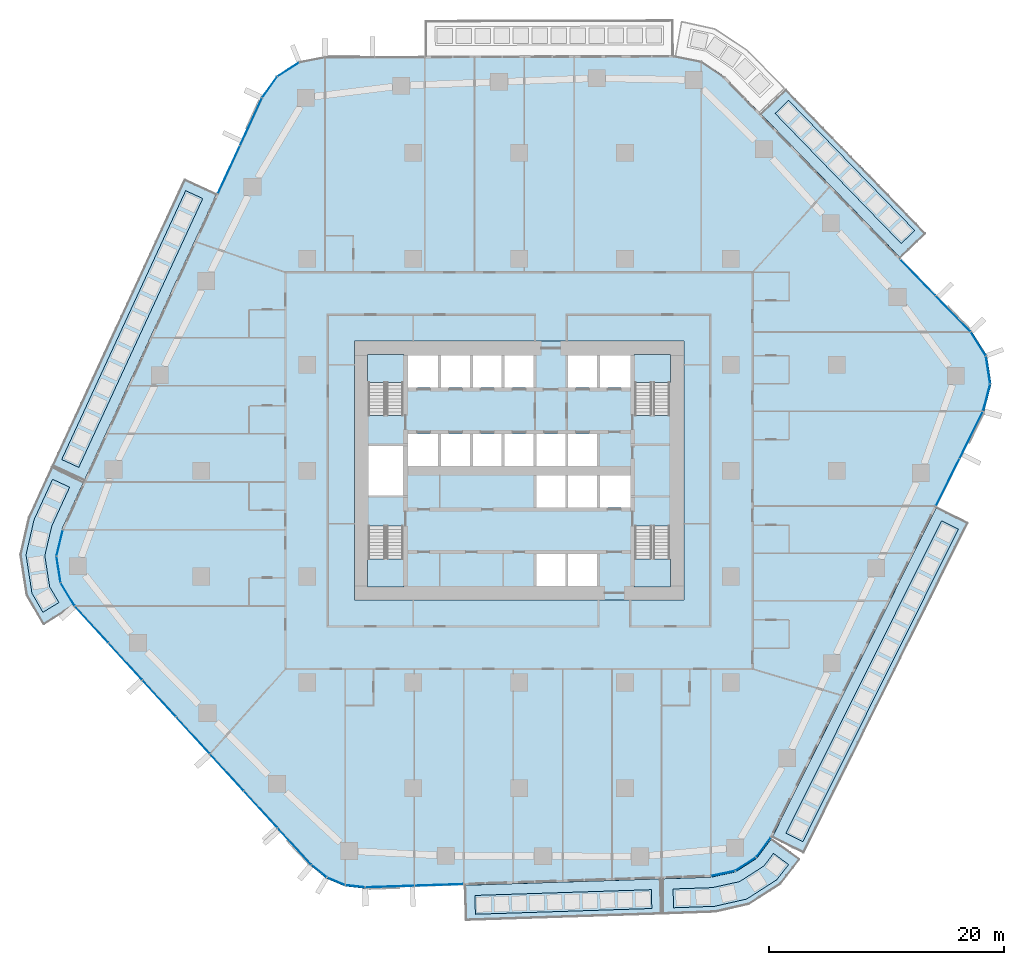
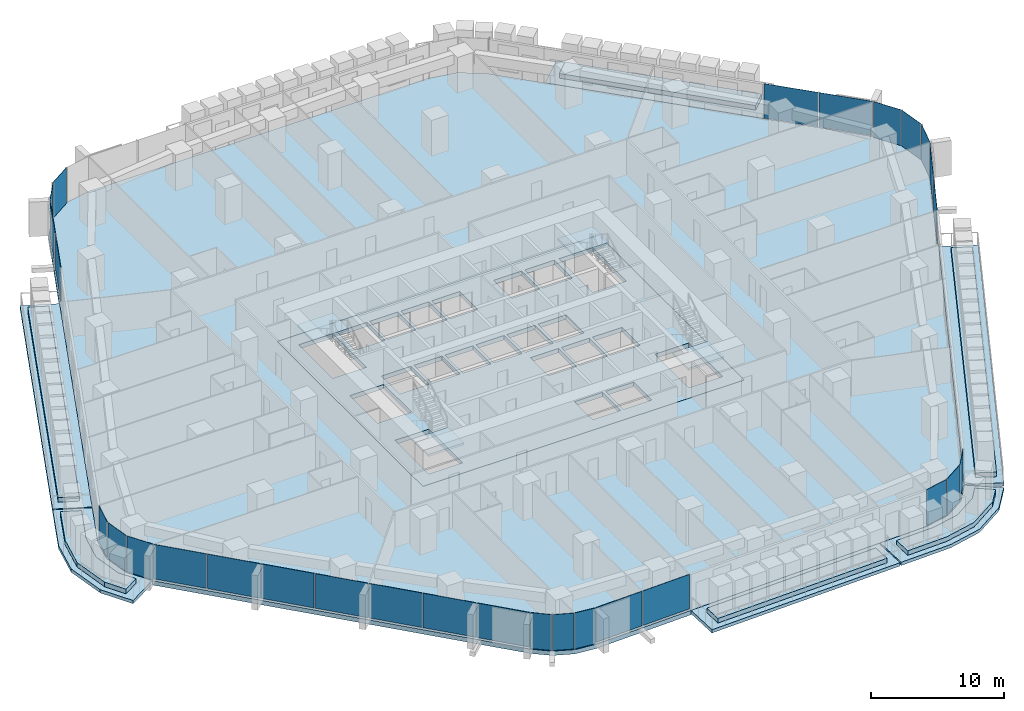
# One storey, part 11 of 27: 29 plates, 18 slabs, 14 elements without a shape of their own.
"""IFC4 building model written with IfcOpenShell, lengths in metres."""

from ifc_helpers import new_model, si_unit, direction, frame, origin, origin_2d, place, context, subcontext, project, spatial, polyline, rectangle, outline, extrude, material, layer, layer_set, type_object, element, aggregate, save


model = new_model("IFC4")

# Units and contexts
model_context = context("Model", 3, precision=1e-05, world=origin(), true_north=direction((0.0, 1.0)))
body_context = subcontext(model_context, "Body", "Model", "MODEL_VIEW")
ifc_project = project(units=[si_unit("LENGTHUNIT", "METRE"), si_unit("AREAUNIT", "SQUARE_METRE"), si_unit("VOLUMEUNIT", "CUBIC_METRE"), si_unit("PLANEANGLEUNIT", "RADIAN"), si_unit("MASSUNIT", "GRAM", prefix="KILO")], contexts=[model_context])

# Site, building, storey
site_placement = place(None, origin())
site = spatial("IfcSite", under=ifc_project, at=site_placement, CompositionType="ELEMENT")
building_placement = place(site_placement, origin())
building = spatial("IfcBuilding", under=site, at=building_placement, Name="Dongbaek Canopy Tower", CompositionType="ELEMENT")
storey_placement = place(building_placement, frame((0.0, 0.0, 58.800048828125)))
storey = spatial("IfcBuildingStorey", under=building, at=storey_placement, Name="L10", CompositionType="ELEMENT", Elevation=58.800048828125)

# Slabs
ifc_material_1 = material(Name="Concrete C40/50", Category="concrete")
ifc_layer_1 = layer(ifc_material_1, 0.300048828125)
ifc_layer_set_1 = layer_set([ifc_layer_1], Name="Balcony slab 300")
slab_type_1 = type_object("IfcSlabType", Name="Balcony slab 300", PredefinedType="FLOOR", material=ifc_layer_set_1)
slab_1_placement = place(storey_placement, frame((0.0, 0.0, -0.300048828125)))
element("IfcSlab", 1, at=slab_1_placement, inside=storey, type_object=slab_type_1, Name="Balcony L10 1", PredefinedType="FLOOR", context=body_context, shape_type="SweptSolid", body=[
    extrude(outline(polyline([(32.42578125, 18.0625), (20.51953125, 30.344482421875), (22.673583984375, 32.4326171875), (34.579833984375, 20.150634765625), (32.42578125, 18.0625)])), origin(), (0.0, 0.0, 1.0), 0.300048828125),
])
slab_2_placement = place(storey_placement, frame((0.0, 0.0, -0.300048828125)))
element("IfcSlab", 2, at=slab_2_placement, inside=storey, type_object=slab_type_1, Name="Balcony L10 3", PredefinedType="FLOOR", context=body_context, shape_type="SweptSolid", body=[
    extrude(outline(polyline([(-25.712890625, 23.520751953125), (-36.9619140625, -0.86962890625), (-39.68603515625, 0.38671875), (-28.43701171875, 24.777099609375), (-25.712890625, 23.520751953125)])), origin(), (0.0, 0.0, 1.0), 0.300048828125),
])
slab_3_placement = place(storey_placement, frame((0.0, 0.0, -0.300048828125)))
element("IfcSlab", 3, at=slab_3_placement, inside=storey, type_object=slab_type_1, Name="Balcony L10 7", PredefinedType="FLOOR", context=body_context, shape_type="SweptSolid", body=[
    extrude(outline(polyline([(-37.003662109375, -0.96044921875), (-38.864501953125, -4.9951171875), (-39.4111328125, -7.261474609375), (-39.052490234375, -9.56494140625), (-37.869140625, -11.51513671875), (-40.433837890625, -13.0712890625), (-41.870849609375, -10.59326171875), (-42.408447265625, -7.13818359375), (-41.698486328125, -4.0107421875), (-39.727783203125, 0.2958984375), (-37.003662109375, -0.96044921875)])), origin(), (0.0, 0.0, 1.0), 0.300048828125),
])
slab_4_placement = place(storey_placement, frame((0.0, 0.0, -0.300048828125)))
element("IfcSlab", 4, at=slab_4_placement, inside=storey, type_object=slab_type_1, Name="Balcony L10 4", PredefinedType="FLOOR", context=body_context, shape_type="SweptSolid", body=[
    extrude(outline(polyline([(-4.643310546875, -35.234130859375), (12.052001953125, -34.68896484375), (12.14990234375, -37.687255859375), (-4.545166015625, -38.232666015625), (-4.643310546875, -35.234130859375)])), origin(), (0.0, 0.0, 1.0), 0.300048828125),
])
slab_5_placement = place(storey_placement, frame((0.0, 0.0, -0.300048828125)))
element("IfcSlab", 5, at=slab_5_placement, inside=storey, type_object=slab_type_1, Name="Balcony L10 8", PredefinedType="FLOOR", context=body_context, shape_type="SweptSolid", body=[
    extrude(outline(polyline([(12.15185546875, -34.685546875), (16.30078125, -34.550048828125), (18.393798828125, -34.099609375), (20.1953125, -32.94287109375), (21.446044921875, -31.267333984375), (23.85009765625, -33.06201171875), (22.240478515625, -35.1376953125), (19.5380859375, -36.872802734375), (16.666748046875, -37.527587890625), (12.249755859375, -37.68408203125), (12.15185546875, -34.685546875)])), origin(), (0.0, 0.0, 1.0), 0.300048828125),
])
slab_6_placement = place(storey_placement, frame((0.0, 0.0, -0.300048828125)))
element("IfcSlab", 6, at=slab_6_placement, inside=storey, type_object=slab_type_1, Name="Balcony L10 5", PredefinedType="FLOOR", context=body_context, shape_type="SweptSolid", body=[
    extrude(outline(polyline([(21.498291015625, -31.1826171875), (35.4814453125, -3.095703125), (38.167236328125, -4.432861328125), (24.183837890625, -32.51953125), (21.498291015625, -31.1826171875)])), origin(), (0.0, 0.0, 1.0), 0.300048828125),
])

# Curtain wall, plates
ifc_material_2 = material(Name="Aluminium 6063-T6 pale anodised", Category="aluminium")
ifc_layer_2 = layer(ifc_material_2, 0.199951171875)
ifc_layer_set_2 = layer_set([ifc_layer_2], Name="CW-1 unitised tower curtain wall")
curtain_wall_type = type_object("IfcCurtainWallType", Name="CW-1 unitised tower curtain wall", PredefinedType="NOTDEFINED", material=ifc_layer_set_2)
curtain_wall_1_placement = place(storey_placement, origin())
curtain_wall_1 = element("IfcCurtainWall", 7, at=curtain_wall_1_placement, inside=storey, type_object=curtain_wall_type, Name="CW-1 curtain wall K0.1", PredefinedType="NOTDEFINED")
ifc_material_3 = material(Name="Clear laminated glass", Category="glass")
ifc_layer_3 = layer(ifc_material_3, 0.028076171875)
ifc_layer_set_3 = layer_set([ifc_layer_3], Name="CW-1 glazed panel 28")
plate_type = type_object("IfcPlateType", Name="CW-1 glazed panel 28", PredefinedType="CURTAIN_PANEL", material=ifc_layer_set_3)
plate_1_placement = place(storey_placement, frame((39.72412109375, 6.202880859375, 0.0), z_axis=(0.0, 0.0, 1.0), x_axis=(0.253824279961, 0.967250347585, 0.0)))
plate_1 = element("IfcPlate", 8, at=plate_1_placement, type_object=plate_type, Name="CW-1 panel K0.1.1.1", PredefinedType="CURTAIN_PANEL", context=body_context, shape_type="SweptSolid", body=[
    extrude(rectangle(XDim=2.331298828125, YDim=0.028076171875, at=origin_2d()), origin(), (0.0, 0.0, 1.0), 3.300048828125),
])
plate_2_placement = place(storey_placement, frame((39.84619140625, 8.55908203125, 0.0), z_axis=(0.0, 0.0, 1.0), x_axis=(-0.153359578382, 0.988170450741, 0.0)))
plate_2 = element("IfcPlate", 9, at=plate_2_placement, type_object=plate_type, Name="CW-1 panel K0.1.2.1", PredefinedType="CURTAIN_PANEL", context=body_context, shape_type="SweptSolid", body=[
    extrude(rectangle(XDim=2.32080078125, YDim=0.028076171875, at=origin_2d()), origin(), (0.0, 0.0, 1.0), 3.300048828125),
])
plate_3_placement = place(storey_placement, frame((39.015869140625, 10.767333984375, 0.0), z_axis=(0.0, 0.0, 1.0), x_axis=(-0.535049500926, 0.844820709713, 0.0)))
plate_3 = element("IfcPlate", 10, at=plate_3_placement, type_object=plate_type, Name="CW-1 panel K0.1.3.1", PredefinedType="CURTAIN_PANEL", context=body_context, shape_type="SweptSolid", body=[
    extrude(rectangle(XDim=2.331298828125, YDim=0.028076171875, at=origin_2d()), origin(), (0.0, 0.0, 1.0), 3.300048828125),
])
aggregate(curtain_wall_1, [plate_1, plate_2, plate_3])

curtain_wall_2_placement = place(storey_placement, origin())
curtain_wall_2 = element("IfcCurtainWall", 11, at=curtain_wall_2_placement, inside=storey, type_object=curtain_wall_type, Name="CW-1 curtain wall F0.1", PredefinedType="NOTDEFINED")
plate_4_placement = place(storey_placement, frame((36.876220703125, 13.328125, 0.1201171875), z_axis=(0.0, 0.0, 1.0), x_axis=(-0.69603897457, 0.718004001298, 0.0)))
plate_4 = element("IfcPlate", 12, at=plate_4_placement, type_object=plate_type, Name="CW-1 panel F0.1.1.1", PredefinedType="CURTAIN_PANEL", context=body_context, shape_type="SweptSolid", body=[
    extrude(rectangle(XDim=4.20703125, YDim=0.028076171875, at=origin_2d()), origin(), (0.0, 0.0, 1.0), 3.179931640625),
])
plate_5_placement = place(storey_placement, frame((33.885986328125, 16.412841796875, 0.1201171875), z_axis=(0.0, 0.0, 1.0), x_axis=(-0.69603897457, 0.718004001298, 0.0)))
plate_5 = element("IfcPlate", 13, at=plate_5_placement, type_object=plate_type, Name="CW-1 panel F0.1.2.1", PredefinedType="CURTAIN_PANEL", context=body_context, shape_type="SweptSolid", body=[
    extrude(rectangle(XDim=4.217529296875, YDim=0.028076171875, at=origin_2d()), origin(), (0.0, 0.0, 1.0), 3.179931640625),
])
aggregate(curtain_wall_2, [plate_4, plate_5])

curtain_wall_3_placement = place(storey_placement, origin())
curtain_wall_3 = element("IfcCurtainWall", 14, at=curtain_wall_3_placement, inside=storey, type_object=curtain_wall_type, Name="CW-1 curtain wall K2.1", PredefinedType="NOTDEFINED")
plate_6_placement = place(storey_placement, frame((-19.60888671875, 34.08837890625, 0.0), z_axis=(0.0, 0.0, 1.0), x_axis=(-0.841542992553, -0.540190144009, 0.0)))
plate_6 = element("IfcPlate", 15, at=plate_6_placement, type_object=plate_type, Name="CW-1 panel K2.1.2.1", PredefinedType="CURTAIN_PANEL", context=body_context, shape_type="SweptSolid", body=[
    extrude(rectangle(XDim=2.13623046875, YDim=0.028076171875, at=origin_2d()), origin(), (0.0, 0.0, 1.0), 3.300048828125),
])
plate_7_placement = place(storey_placement, frame((-21.1923828125, 32.582275390625, 0.0), z_axis=(0.0, 0.0, 1.0), x_axis=(-0.58222955905, -0.813024440327, 0.0)))
plate_7 = element("IfcPlate", 16, at=plate_7_placement, type_object=plate_type, Name="CW-1 panel K2.1.3.1", PredefinedType="CURTAIN_PANEL", context=body_context, shape_type="SweptSolid", body=[
    extrude(rectangle(XDim=2.145751953125, YDim=0.028076171875, at=origin_2d()), origin(), (0.0, 0.0, 1.0), 3.300048828125),
])
aggregate(curtain_wall_3, [plate_6, plate_7])

curtain_wall_4_placement = place(storey_placement, origin())
curtain_wall_4 = element("IfcCurtainWall", 17, at=curtain_wall_4_placement, inside=storey, type_object=curtain_wall_type, Name="CW-1 curtain wall F2.1", PredefinedType="NOTDEFINED")
plate_8_placement = place(storey_placement, frame((-22.7802734375, 29.64013671875, 0.1201171875), z_axis=(0.0, 0.0, 1.0), x_axis=(-0.418811237761, -0.908073315942, 0.0)))
plate_8 = element("IfcPlate", 18, at=plate_8_placement, type_object=plate_type, Name="CW-1 panel F2.1.1.1", PredefinedType="CURTAIN_PANEL", context=body_context, shape_type="SweptSolid", body=[
    extrude(rectangle(XDim=4.399658203125, YDim=0.028076171875, at=origin_2d()), origin(), (0.0, 0.0, 1.0), 3.179931640625),
])
plate_9_placement = place(storey_placement, frame((-24.66015625, 25.564208984375, 0.1201171875), z_axis=(0.0, 0.0, 1.0), x_axis=(-0.418811237761, -0.908073315942, 0.0)))
plate_9 = element("IfcPlate", 19, at=plate_9_placement, type_object=plate_type, Name="CW-1 panel F2.1.2.1", PredefinedType="CURTAIN_PANEL", context=body_context, shape_type="SweptSolid", body=[
    extrude(rectangle(XDim=4.4091796875, YDim=0.028076171875, at=origin_2d()), origin(), (0.0, 0.0, 1.0), 3.179931640625),
])
aggregate(curtain_wall_4, [plate_8, plate_9])

curtain_wall_5_placement = place(storey_placement, origin())
curtain_wall_5 = element("IfcCurtainWall", 20, at=curtain_wall_5_placement, inside=storey, type_object=curtain_wall_type, Name="CW-1 curtain wall K3.1", PredefinedType="NOTDEFINED")
plate_10_placement = place(storey_placement, frame((-39.039306640625, -6.14697265625, 0.0), z_axis=(0.0, 0.0, 1.0), x_axis=(-0.234426155639, -0.972133929843, 0.0)))
plate_10 = element("IfcPlate", 21, at=plate_10_placement, type_object=plate_type, Name="CW-1 panel K3.1.1.1", PredefinedType="CURTAIN_PANEL", context=body_context, shape_type="SweptSolid", body=[
    extrude(rectangle(XDim=2.217529296875, YDim=0.028076171875, at=origin_2d()), origin(), (0.0, 0.0, 1.0), 3.300048828125),
])
plate_11_placement = place(storey_placement, frame((-39.133056640625, -8.397705078125, 0.0), z_axis=(0.0, 0.0, 1.0), x_axis=(0.153774363281, -0.988105988848, 0.0)))
plate_11 = element("IfcPlate", 22, at=plate_11_placement, type_object=plate_type, Name="CW-1 panel K3.1.2.1", PredefinedType="CURTAIN_PANEL", context=body_context, shape_type="SweptSolid", body=[
    extrude(rectangle(XDim=2.20751953125, YDim=0.028076171875, at=origin_2d()), origin(), (0.0, 0.0, 1.0), 3.300048828125),
])
plate_12_placement = place(storey_placement, frame((-38.35986328125, -10.513671875, 0.0), z_axis=(0.0, 0.0, 1.0), x_axis=(0.518761911703, -0.854918755769, 0.0)))
plate_12 = element("IfcPlate", 23, at=plate_12_placement, type_object=plate_type, Name="CW-1 panel K3.1.3.1", PredefinedType="CURTAIN_PANEL", context=body_context, shape_type="SweptSolid", body=[
    extrude(rectangle(XDim=2.217529296875, YDim=0.028076171875, at=origin_2d()), origin(), (0.0, 0.0, 1.0), 3.300048828125),
])
aggregate(curtain_wall_5, [plate_10, plate_11, plate_12])

curtain_wall_6_placement = place(storey_placement, origin())
curtain_wall_6 = element("IfcCurtainWall", 24, at=curtain_wall_6_placement, inside=storey, type_object=curtain_wall_type, Name="CW-1 curtain wall F3.1", PredefinedType="NOTDEFINED")
plate_13_placement = place(storey_placement, frame((-36.328369140625, -13.065673828125, 0.1201171875), z_axis=(0.0, 0.0, 1.0), x_axis=(0.674959422667, -0.737854848702, 0.0)))
plate_13 = element("IfcPlate", 25, at=plate_13_placement, type_object=plate_type, Name="CW-1 panel F3.1.1.1", PredefinedType="CURTAIN_PANEL", context=body_context, shape_type="SweptSolid", body=[
    extrude(rectangle(XDim=4.166748046875, YDim=0.028076171875, at=origin_2d()), origin(), (0.0, 0.0, 1.0), 3.179931640625),
])
plate_14_placement = place(storey_placement, frame((-33.4560546875, -16.205810546875, 0.1201171875), z_axis=(0.0, 0.0, 1.0), x_axis=(0.674959422667, -0.737854848702, 0.0)))
plate_14 = element("IfcPlate", 26, at=plate_14_placement, type_object=plate_type, Name="CW-1 panel F3.1.2.1", PredefinedType="CURTAIN_PANEL", context=body_context, shape_type="SweptSolid", body=[
    extrude(rectangle(XDim=4.176513671875, YDim=0.028076171875, at=origin_2d()), origin(), (0.0, 0.0, 1.0), 3.179931640625),
])
plate_15_placement = place(storey_placement, frame((-30.580322265625, -19.349365234375, 0.1201171875), z_axis=(0.0, 0.0, 1.0), x_axis=(0.674959422667, -0.737854848702, 0.0)))
plate_15 = element("IfcPlate", 27, at=plate_15_placement, type_object=plate_type, Name="CW-1 panel F3.1.3.1", PredefinedType="CURTAIN_PANEL", context=body_context, shape_type="SweptSolid", body=[
    extrude(rectangle(XDim=4.176513671875, YDim=0.028076171875, at=origin_2d()), origin(), (0.0, 0.0, 1.0), 3.179931640625),
])
plate_16_placement = place(storey_placement, frame((-27.704833984375, -22.492919921875, 0.1201171875), z_axis=(0.0, 0.0, 1.0), x_axis=(0.674959422667, -0.737854848702, 0.0)))
plate_16 = element("IfcPlate", 28, at=plate_16_placement, type_object=plate_type, Name="CW-1 panel F3.1.4.1", PredefinedType="CURTAIN_PANEL", context=body_context, shape_type="SweptSolid", body=[
    extrude(rectangle(XDim=4.176513671875, YDim=0.028076171875, at=origin_2d()), origin(), (0.0, 0.0, 1.0), 3.179931640625),
])
plate_17_placement = place(storey_placement, frame((-24.8291015625, -25.636474609375, 0.1201171875), z_axis=(0.0, 0.0, 1.0), x_axis=(0.674959422667, -0.737854848702, 0.0)))
plate_17 = element("IfcPlate", 29, at=plate_17_placement, type_object=plate_type, Name="CW-1 panel F3.1.5.1", PredefinedType="CURTAIN_PANEL", context=body_context, shape_type="SweptSolid", body=[
    extrude(rectangle(XDim=4.176513671875, YDim=0.028076171875, at=origin_2d()), origin(), (0.0, 0.0, 1.0), 3.179931640625),
])
plate_18_placement = place(storey_placement, frame((-21.953369140625, -28.780029296875, 0.1201171875), z_axis=(0.0, 0.0, 1.0), x_axis=(0.674959422667, -0.737854848702, 0.0)))
plate_18 = element("IfcPlate", 30, at=plate_18_placement, type_object=plate_type, Name="CW-1 panel F3.1.6.1", PredefinedType="CURTAIN_PANEL", context=body_context, shape_type="SweptSolid", body=[
    extrude(rectangle(XDim=4.176513671875, YDim=0.028076171875, at=origin_2d()), origin(), (0.0, 0.0, 1.0), 3.179931640625),
])
plate_19_placement = place(storey_placement, frame((-19.080322265625, -31.921142578125, 0.1201171875), z_axis=(0.0, 0.0, 1.0), x_axis=(0.674959422667, -0.737854848702, 0.0)))
plate_19 = element("IfcPlate", 31, at=plate_19_placement, type_object=plate_type, Name="CW-1 panel F3.1.7.1", PredefinedType="CURTAIN_PANEL", context=body_context, shape_type="SweptSolid", body=[
    extrude(rectangle(XDim=4.169189453125, YDim=0.028076171875, at=origin_2d()), origin(), (0.0, 0.0, 1.0), 3.179931640625),
])
aggregate(curtain_wall_6, [plate_13, plate_14, plate_15, plate_16, plate_17, plate_18, plate_19])

curtain_wall_7_placement = place(storey_placement, origin())
curtain_wall_7 = element("IfcCurtainWall", 32, at=curtain_wall_7_placement, inside=storey, type_object=curtain_wall_type, Name="CW-1 curtain wall K4.1", PredefinedType="NOTDEFINED")
plate_20_placement = place(storey_placement, frame((-16.98828125, -34.02783203125, 0.0), z_axis=(0.0, 0.0, 1.0), x_axis=(0.773703452256, -0.633547920813, 0.0)))
plate_20 = element("IfcPlate", 33, at=plate_20_placement, type_object=plate_type, Name="CW-1 panel K4.1.1.1", PredefinedType="CURTAIN_PANEL", context=body_context, shape_type="SweptSolid", body=[
    extrude(rectangle(XDim=1.613525390625, YDim=0.028076171875, at=origin_2d()), origin(), (0.0, 0.0, 1.0), 3.300048828125),
])
plate_21_placement = place(storey_placement, frame((-15.552734375, -34.893798828125, 0.0), z_axis=(0.0, 0.0, 1.0), x_axis=(0.921598440482, -0.388144708196, 0.0)))
plate_21 = element("IfcPlate", 34, at=plate_21_placement, type_object=plate_type, Name="CW-1 panel K4.1.2.1", PredefinedType="CURTAIN_PANEL", context=body_context, shape_type="SweptSolid", body=[
    extrude(rectangle(XDim=1.606201171875, YDim=0.028076171875, at=origin_2d()), origin(), (0.0, 0.0, 1.0), 3.300048828125),
])
plate_22_placement = place(storey_placement, frame((-13.930419921875, -35.31591796875, 0.0), z_axis=(0.0, 0.0, 1.0), x_axis=(0.993834192514, -0.110876497913, 0.0)))
plate_22 = element("IfcPlate", 35, at=plate_22_placement, type_object=plate_type, Name="CW-1 panel K4.1.3.1", PredefinedType="CURTAIN_PANEL", context=body_context, shape_type="SweptSolid", body=[
    extrude(rectangle(XDim=1.613525390625, YDim=0.028076171875, at=origin_2d()), origin(), (0.0, 0.0, 1.0), 3.300048828125),
])
aggregate(curtain_wall_7, [plate_20, plate_21, plate_22])

curtain_wall_8_placement = place(storey_placement, origin())
curtain_wall_8 = element("IfcCurtainWall", 36, at=curtain_wall_8_placement, inside=storey, type_object=curtain_wall_type, Name="CW-1 curtain wall F4.1", PredefinedType="NOTDEFINED")
plate_23_placement = place(storey_placement, frame((-10.990966796875, -35.341552734375, 0.1201171875), z_axis=(0.0, 0.0, 1.0), x_axis=(0.999466990626, 0.032645591573, 0.0)))
plate_23 = element("IfcPlate", 37, at=plate_23_placement, type_object=plate_type, Name="CW-1 panel F4.1.1.1", PredefinedType="CURTAIN_PANEL", context=body_context, shape_type="SweptSolid", body=[
    extrude(rectangle(XDim=4.10986328125, YDim=0.028076171875, at=origin_2d()), origin(), (0.0, 0.0, 1.0), 3.179931640625),
])
plate_24_placement = place(storey_placement, frame((-6.7958984375, -35.204345703125, 0.1201171875), z_axis=(0.0, 0.0, 1.0), x_axis=(0.999466990626, 0.032645591573, 0.0)))
plate_24 = element("IfcPlate", 38, at=plate_24_placement, type_object=plate_type, Name="CW-1 panel F4.1.2.1", PredefinedType="CURTAIN_PANEL", context=body_context, shape_type="SweptSolid", body=[
    extrude(rectangle(XDim=4.116943359375, YDim=0.028076171875, at=origin_2d()), origin(), (0.0, 0.0, 1.0), 3.179931640625),
])
aggregate(curtain_wall_8, [plate_23, plate_24])

curtain_wall_9_placement = place(storey_placement, origin())
curtain_wall_9 = element("IfcCurtainWall", 39, at=curtain_wall_9_placement, inside=storey, type_object=curtain_wall_type, Name="CW-1 curtain wall K5.1", PredefinedType="NOTDEFINED")
plate_25_placement = place(storey_placement, frame((17.32177734375, -34.22802734375, 0.0), z_axis=(0.0, 0.0, 1.0), x_axis=(0.977607769936, 0.210435377636, 0.0)))
plate_25 = element("IfcPlate", 40, at=plate_25_placement, type_object=plate_type, Name="CW-1 panel K5.1.1.1", PredefinedType="CURTAIN_PANEL", context=body_context, shape_type="SweptSolid", body=[
    extrude(rectangle(XDim=2.02978515625, YDim=0.028076171875, at=origin_2d()), origin(), (0.0, 0.0, 1.0), 3.300048828125),
])
plate_26_placement = place(storey_placement, frame((19.240478515625, -33.43701171875, 0.0), z_axis=(0.0, 0.0, 1.0), x_axis=(0.841491649335, 0.54027012142, 0.0)))
plate_26 = element("IfcPlate", 41, at=plate_26_placement, type_object=plate_type, Name="CW-1 panel K5.1.2.1", PredefinedType="CURTAIN_PANEL", context=body_context, shape_type="SweptSolid", body=[
    extrude(rectangle(XDim=2.020751953125, YDim=0.028076171875, at=origin_2d()), origin(), (0.0, 0.0, 1.0), 3.300048828125),
])
plate_27_placement = place(storey_placement, frame((20.75830078125, -32.021728515625, 0.0), z_axis=(0.0, 0.0, 1.0), x_axis=(0.598238026638, 0.801318453228, 0.0)))
plate_27 = element("IfcPlate", 42, at=plate_27_placement, type_object=plate_type, Name="CW-1 panel K5.1.3.1", PredefinedType="CURTAIN_PANEL", context=body_context, shape_type="SweptSolid", body=[
    extrude(rectangle(XDim=2.02978515625, YDim=0.028076171875, at=origin_2d()), origin(), (0.0, 0.0, 1.0), 3.300048828125),
])
aggregate(curtain_wall_9, [plate_25, plate_26, plate_27])

curtain_wall_10_placement = place(storey_placement, origin())
curtain_wall_10 = element("IfcCurtainWall", 43, at=curtain_wall_10_placement, inside=storey, type_object=curtain_wall_type, Name="CW-1 curtain wall F5.1", PredefinedType="NOTDEFINED")
plate_28_placement = place(storey_placement, frame((36.416259765625, -0.993896484375, 0.1201171875), z_axis=(0.0, 0.0, 1.0), x_axis=(0.445678057682, 0.895193313704, 0.0)))
plate_28 = element("IfcPlate", 44, at=plate_28_placement, type_object=plate_type, Name="CW-1 panel F5.1.1.1", PredefinedType="CURTAIN_PANEL", context=body_context, shape_type="SweptSolid", body=[
    extrude(rectangle(XDim=4.412353515625, YDim=0.028076171875, at=origin_2d()), origin(), (0.0, 0.0, 1.0), 3.179931640625),
])
plate_29_placement = place(storey_placement, frame((38.41796875, 3.02685546875, 0.1201171875), z_axis=(0.0, 0.0, 1.0), x_axis=(0.445678057682, 0.895193313704, 0.0)))
plate_29 = element("IfcPlate", 45, at=plate_29_placement, type_object=plate_type, Name="CW-1 panel F5.1.2.1", PredefinedType="CURTAIN_PANEL", context=body_context, shape_type="SweptSolid", body=[
    extrude(rectangle(XDim=4.402099609375, YDim=0.028076171875, at=origin_2d()), origin(), (0.0, 0.0, 1.0), 3.179931640625),
])
aggregate(curtain_wall_10, [plate_28, plate_29])

# Slab
ifc_material_4 = material(Name="Concrete C40/50", Category="concrete")
ifc_layer_4 = layer(ifc_material_4, 0.39990234375)
ifc_layer_set_4 = layer_set([ifc_layer_4], Name="Core floor slab 400 Concrete C40/50")
slab_type_2 = type_object("IfcSlabType", Name="Core floor slab 400 Concrete C40/50", PredefinedType="FLOOR", material=ifc_layer_set_4)
slab_7_placement = place(storey_placement, frame((0.0, 0.0, -0.400146484375)))
element("IfcSlab", 46, at=slab_7_placement, inside=storey, type_object=slab_type_2, Name="Core floor slab L10", PredefinedType="FLOOR", context=body_context, shape_type="SweptSolid", body=[
    extrude(outline(polyline([(14.0, -11.0), (14.0, 11.0), (-14.0, 11.0), (-14.0, -11.0), (14.0, -11.0)]), holes=[polyline([(-12.800048828125, 2.10009765625), (-9.85009765625, 2.10009765625), (-9.85009765625, -2.10009765625), (-12.800048828125, -2.10009765625), (-12.800048828125, 2.10009765625)]), polyline([(-6.875, 9.800048828125), (-6.875, 7.074951171875), (-9.449951171875, 7.074951171875), (-9.449951171875, 9.800048828125), (-6.875, 9.800048828125)]), polyline([(-4.175048828125, 9.800048828125), (-4.175048828125, 7.074951171875), (-6.625, 7.074951171875), (-6.625, 9.800048828125), (-4.175048828125, 9.800048828125)]), polyline([(-1.47509765625, 9.800048828125), (-1.47509765625, 7.074951171875), (-3.925048828125, 7.074951171875), (-3.925048828125, 9.800048828125), (-1.47509765625, 9.800048828125)]), polyline([(1.22509765625, 9.800048828125), (1.22509765625, 7.074951171875), (-1.22509765625, 7.074951171875), (-1.22509765625, 9.800048828125), (1.22509765625, 9.800048828125)]), polyline([(6.625, 9.800048828125), (6.625, 7.074951171875), (4.175048828125, 7.074951171875), (4.175048828125, 9.800048828125), (6.625, 9.800048828125)]), polyline([(9.449951171875, 7.074951171875), (6.875, 7.074951171875), (6.875, 9.800048828125), (9.449951171875, 9.800048828125), (9.449951171875, 7.074951171875)]), polyline([(-9.449951171875, 3.125), (-6.875, 3.125), (-6.875, 0.39990234375), (-9.449951171875, 0.39990234375), (-9.449951171875, 3.125)]), polyline([(-6.625, 3.125), (-4.175048828125, 3.125), (-4.175048828125, 0.39990234375), (-6.625, 0.39990234375), (-6.625, 3.125)]), polyline([(-3.925048828125, 3.125), (-1.47509765625, 3.125), (-1.47509765625, 0.39990234375), (-3.925048828125, 0.39990234375), (-3.925048828125, 3.125)]), polyline([(-1.22509765625, 3.125), (1.22509765625, 3.125), (1.22509765625, 0.39990234375), (-1.22509765625, 0.39990234375), (-1.22509765625, 3.125)]), polyline([(1.47509765625, 0.39990234375), (1.47509765625, 3.125), (3.925048828125, 3.125), (3.925048828125, 0.39990234375), (1.47509765625, 0.39990234375)]), polyline([(4.175048828125, 0.39990234375), (4.175048828125, 3.125), (6.625, 3.125), (6.625, 0.39990234375), (4.175048828125, 0.39990234375)]), polyline([(3.925048828125, -0.39990234375), (3.925048828125, -3.125), (1.47509765625, -3.125), (1.47509765625, -0.39990234375), (3.925048828125, -0.39990234375)]), polyline([(6.625, -0.39990234375), (6.625, -3.125), (4.175048828125, -3.125), (4.175048828125, -0.39990234375), (6.625, -0.39990234375)]), polyline([(9.449951171875, -3.125), (6.875, -3.125), (6.875, -0.39990234375), (9.449951171875, -0.39990234375), (9.449951171875, -3.125)]), polyline([(1.47509765625, -9.800048828125), (1.47509765625, -7.074951171875), (3.925048828125, -7.074951171875), (3.925048828125, -9.800048828125), (1.47509765625, -9.800048828125)]), polyline([(4.175048828125, -9.800048828125), (4.175048828125, -7.074951171875), (6.625, -7.074951171875), (6.625, -9.800048828125), (4.175048828125, -9.800048828125)]), polyline([(12.800048828125, 4.70068359375), (12.800048828125, 9.800048828125), (9.85009765625, 9.800048828125), (9.85009765625, 4.70068359375), (12.800048828125, 4.70068359375)]), polyline([(-9.85009765625, 4.70068359375), (-9.85009765625, 9.800048828125), (-12.800048828125, 9.800048828125), (-12.800048828125, 4.70068359375), (-9.85009765625, 4.70068359375)]), polyline([(9.85009765625, -4.70068359375), (9.85009765625, -9.800048828125), (12.800048828125, -9.800048828125), (12.800048828125, -4.70068359375), (9.85009765625, -4.70068359375)]), polyline([(-12.800048828125, -4.70068359375), (-12.800048828125, -9.800048828125), (-9.85009765625, -9.800048828125), (-9.85009765625, -4.70068359375), (-12.800048828125, -4.70068359375)])]), origin(), (0.0, 0.0, 1.0), 0.400146484375),
])

# Stair, slab
ifc_material_5 = material(Name="Concrete C40/50", Category="concrete")
stair_type = type_object("IfcStairType", Name="Core exit stair", PredefinedType="HALF_TURN_STAIR", material=ifc_material_5)
stair_1_placement = place(storey_placement, origin())
stair_1 = element("IfcStair", 47, at=stair_1_placement, inside=storey, type_object=stair_type, Name="L10 exit stair A", PredefinedType="HALF_TURN_STAIR")
ifc_material_6 = material(Name="Concrete C40/50", Category="concrete")
ifc_layer_5 = layer(ifc_material_6, 0.199951171875)
ifc_layer_set_5 = layer_set([ifc_layer_5], Name="Core stair landing 200")
slab_type_3 = type_object("IfcSlabType", Name="Core stair landing 200", PredefinedType="LANDING", material=ifc_layer_set_5)
slab_8_placement = place(storey_placement, frame((0.0, 0.0, 1.64990234375)))
slab_8 = element("IfcSlab", 48, at=slab_8_placement, type_object=slab_type_3, Name="ST-A landing 1", PredefinedType="LANDING", context=body_context, shape_type="SweptSolid", body=[
    extrude(outline(polyline([(12.875, 7.5), (12.875, 9.875), (9.77490234375, 9.875), (9.77490234375, 7.5), (12.875, 7.5)])), origin(), (0.0, 0.0, 1.0), 0.199951171875),
])
aggregate(stair_1, [slab_8])

stair_2_placement = place(storey_placement, origin())
stair_2 = element("IfcStair", 49, at=stair_2_placement, inside=storey, type_object=stair_type, Name="L10 exit stair C", PredefinedType="HALF_TURN_STAIR")
slab_9_placement = place(storey_placement, frame((0.0, 0.0, 1.64990234375)))
slab_9 = element("IfcSlab", 50, at=slab_9_placement, type_object=slab_type_3, Name="ST-C landing 1", PredefinedType="LANDING", context=body_context, shape_type="SweptSolid", body=[
    extrude(outline(polyline([(-9.77490234375, 7.5), (-9.77490234375, 9.875), (-12.875, 9.875), (-12.875, 7.5), (-9.77490234375, 7.5)])), origin(), (0.0, 0.0, 1.0), 0.199951171875),
])
aggregate(stair_2, [slab_9])

stair_3_placement = place(storey_placement, origin())
stair_3 = element("IfcStair", 51, at=stair_3_placement, inside=storey, type_object=stair_type, Name="L10 exit stair B", PredefinedType="HALF_TURN_STAIR")
slab_10_placement = place(storey_placement, frame((0.0, 0.0, 1.64990234375)))
slab_10 = element("IfcSlab", 52, at=slab_10_placement, type_object=slab_type_3, Name="ST-B landing 1", PredefinedType="LANDING", context=body_context, shape_type="SweptSolid", body=[
    extrude(outline(polyline([(9.77490234375, -7.5), (9.77490234375, -9.875), (12.875, -9.875), (12.875, -7.5), (9.77490234375, -7.5)])), origin(), (0.0, 0.0, 1.0), 0.199951171875),
])
aggregate(stair_3, [slab_10])

stair_4_placement = place(storey_placement, origin())
stair_4 = element("IfcStair", 53, at=stair_4_placement, inside=storey, type_object=stair_type, Name="L10 exit stair D", PredefinedType="HALF_TURN_STAIR")
slab_11_placement = place(storey_placement, frame((0.0, 0.0, 1.64990234375)))
slab_11 = element("IfcSlab", 54, at=slab_11_placement, type_object=slab_type_3, Name="ST-D landing 1", PredefinedType="LANDING", context=body_context, shape_type="SweptSolid", body=[
    extrude(outline(polyline([(-12.875, -7.5), (-12.875, -9.875), (-9.77490234375, -9.875), (-9.77490234375, -7.5), (-12.875, -7.5)])), origin(), (0.0, 0.0, 1.0), 0.199951171875),
])
aggregate(stair_4, [slab_11])

# Slabs
ifc_material_7 = material(Name="Concrete C40", Category="concrete")
ifc_layer_6 = layer(ifc_material_7, 0.39990234375)
ifc_layer_set_6 = layer_set([ifc_layer_6], Name="RC FLAT PLATE 400 Concrete C40")
slab_type_4 = type_object("IfcSlabType", Name="RC FLAT PLATE 400 Concrete C40", PredefinedType="FLOOR", material=ifc_layer_set_6)
slab_12_placement = place(storey_placement, frame((0.0, 0.0, -0.400146484375)))
element("IfcSlab", 55, at=slab_12_placement, inside=storey, type_object=slab_type_4, Name="SLAB:L10", PredefinedType="FLOOR", context=body_context, shape_type="SweptSolid", body=[
    extrude(outline(polyline([(21.47607421875, -31.227294921875), (20.1953125, -32.94287109375), (18.393798828125, -34.099609375), (16.30078125, -34.550048828125), (-13.0908203125, -35.510009765625), (-14.79931640625, -35.319580078125), (-16.3837890625, -34.652099609375), (-17.7138671875, -33.56298828125), (-37.84326171875, -11.557861328125), (-39.052490234375, -9.56494140625), (-39.410888671875, -7.261474609375), (-38.864501953125, -4.9951171875), (-21.92822265625, 31.726318359375), (-20.61328125, 33.5625), (-18.712646484375, 34.78271484375), (-16.495849609375, 35.21337890625), (13.166748046875, 35.29248046875), (15.514404296875, 34.821044921875), (17.49072265625, 33.468994140625), (38.448486328125, 11.849609375), (39.757568359375, 9.782958984375), (40.1328125, 7.365478515625), (39.51171875, 4.99951171875), (21.47607421875, -31.227294921875)]), holes=[polyline([(14.0, 11.0), (-14.0, 11.0), (-14.0, -11.0), (14.0, -11.0), (14.0, 11.0)])]), origin(), (0.0, 0.0, 1.0), 0.400146484375),
])
ifc_material_8 = material(Name="Reinforced concrete C40/50 planter box with soil", Category="concrete")
ifc_layer_7 = layer(ifc_material_8, 0.419921875)
ifc_layer_set_7 = layer_set([ifc_layer_7], Name="Terrace planter box 1600 x 420")
slab_type_5 = type_object("IfcSlabType", Name="Terrace planter box 1600 x 420", PredefinedType="USERDEFINED", material=ifc_layer_set_7)
slab_13_placement = place(storey_placement, origin())
element("IfcSlab", 56, at=slab_13_placement, inside=storey, type_object=slab_type_5, Name="Balcony planter L10 1", ObjectType="PLANTER", PredefinedType="USERDEFINED", context=body_context, shape_type="SweptSolid", body=[
    extrude(outline(polyline([(32.473388671875, 19.292236328125), (21.750244140625, 30.353759765625), (22.899169921875, 31.46728515625), (33.6220703125, 20.406005859375), (32.473388671875, 19.292236328125)])), origin(), (0.0, 0.0, 1.0), 0.419921875),
])
slab_14_placement = place(storey_placement, origin())
element("IfcSlab", 57, at=slab_14_placement, inside=storey, type_object=slab_type_5, Name="Balcony planter L10 3", ObjectType="PLANTER", PredefinedType="USERDEFINED", context=body_context, shape_type="SweptSolid", body=[
    extrude(outline(polyline([(-26.876953125, 23.12158203125), (-37.4140625, 0.27490234375), (-38.866943359375, 0.945068359375), (-28.329833984375, 23.791748046875), (-26.876953125, 23.12158203125)])), origin(), (0.0, 0.0, 1.0), 0.419921875),
])
slab_15_placement = place(storey_placement, origin())
element("IfcSlab", 58, at=slab_15_placement, inside=storey, type_object=slab_type_5, Name="Balcony planter L10 7", ObjectType="PLANTER", PredefinedType="USERDEFINED", context=body_context, shape_type="SweptSolid", body=[
    extrude(outline(polyline([(-38.188720703125, -1.405029296875), (-39.705322265625, -4.703125), (-40.30029296875, -7.224853515625), (-39.888671875, -9.869873046875), (-39.096923828125, -11.207275390625), (-40.46484375, -12.037353515625), (-41.3916015625, -10.41845703125), (-41.89892578125, -7.158935546875), (-41.216552734375, -4.177978515625), (-39.6416015625, -0.73486328125), (-38.188720703125, -1.405029296875)])), origin(), (0.0, 0.0, 1.0), 0.419921875),
])
slab_16_placement = place(storey_placement, origin())
element("IfcSlab", 59, at=slab_16_placement, inside=storey, type_object=slab_type_5, Name="Balcony planter L10 4", ObjectType="PLANTER", PredefinedType="USERDEFINED", context=body_context, shape_type="SweptSolid", body=[
    extrude(outline(polyline([(-3.7646484375, -36.095947265625), (11.2314453125, -35.606201171875), (11.28369140625, -37.205322265625), (-3.71240234375, -37.695068359375), (-3.7646484375, -36.095947265625)])), origin(), (0.0, 0.0, 1.0), 0.419921875),
])
slab_17_placement = place(storey_placement, origin())
element("IfcSlab", 60, at=slab_17_placement, inside=storey, type_object=slab_type_5, Name="Balcony planter L10 8", ObjectType="PLANTER", PredefinedType="USERDEFINED", context=body_context, shape_type="SweptSolid", body=[
    extrude(outline(polyline([(13.08056640625, -35.545654296875), (16.409423828125, -35.433349609375), (18.733154296875, -34.92236328125), (20.802001953125, -33.593994140625), (21.620849609375, -32.52099609375), (22.903076171875, -33.478271484375), (21.892822265625, -34.7646484375), (19.343505859375, -36.4013671875), (16.6044921875, -37.021484375), (13.1328125, -37.144775390625), (13.08056640625, -35.545654296875)])), origin(), (0.0, 0.0, 1.0), 0.419921875),
])
slab_18_placement = place(storey_placement, origin())
element("IfcSlab", 61, at=slab_18_placement, inside=storey, type_object=slab_type_5, Name="Balcony planter L10 5", ObjectType="PLANTER", PredefinedType="USERDEFINED", context=body_context, shape_type="SweptSolid", body=[
    extrude(outline(polyline([(22.673828125, -30.818359375), (35.8994140625, -4.25341796875), (37.331787109375, -4.96630859375), (24.106201171875, -31.531494140625), (22.673828125, -30.818359375)])), origin(), (0.0, 0.0, 1.0), 0.419921875),
])

save(model, "model.ifc")
